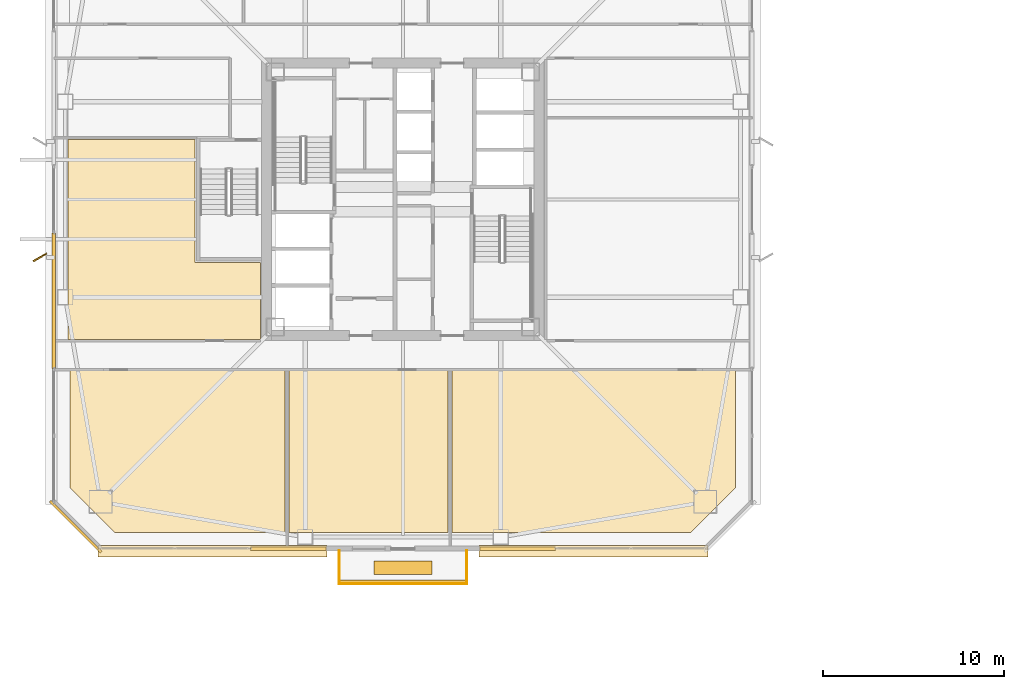
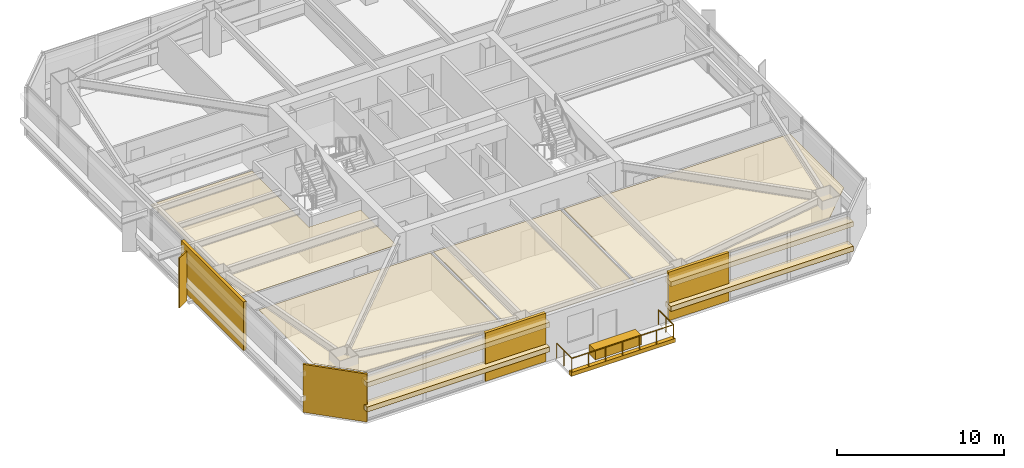
# One storey, part 42 of 48: 14 coverings, 3 railings, 1 shading device.
"""IFC4 building model written with IfcOpenShell, lengths in metres."""

from ifc_helpers import new_model, si_unit, direction, frame, origin, origin_2d, place, context, subcontext, project, spatial, polyline, rectangle, outline, extrude, material, layer, layer_set, type_object, element, save


model = new_model("IFC4")

# Units and contexts
model_context = context("Model", 3, precision=1e-05, world=origin(), true_north=direction((0.0, 1.0)))
body_context = subcontext(model_context, "Body", "Model", "MODEL_VIEW")
ifc_project = project(units=[si_unit("LENGTHUNIT", "METRE"), si_unit("AREAUNIT", "SQUARE_METRE"), si_unit("VOLUMEUNIT", "CUBIC_METRE"), si_unit("PLANEANGLEUNIT", "RADIAN"), si_unit("MASSUNIT", "GRAM", prefix="KILO")], contexts=[model_context])

# Site, building, storey
site_placement = place(None, origin())
site = spatial("IfcSite", under=ifc_project, at=site_placement, CompositionType="ELEMENT")
building_placement = place(site_placement, origin())
building = spatial("IfcBuilding", under=site, at=building_placement, Name="Tashvorn Skyway Center", CompositionType="ELEMENT")
storey_placement = place(building_placement, frame((0.0, 0.0, 125.050048828125)))
storey = spatial("IfcBuildingStorey", under=building, at=storey_placement, Name="L33", CompositionType="ELEMENT", Elevation=125.050048828125)

# Coverings
ifc_material_1 = material(Name="Precast concrete C40/50", Category="concrete")
ifc_layer_1 = layer(ifc_material_1, 0.199951171875)
ifc_layer_set_1 = layer_set([ifc_layer_1], Name="Precast concrete C40/50")
covering_type_1 = type_object("IfcCoveringType", Name="COV-BRACE-CLAD", PredefinedType="CLADDING", material=ifc_layer_set_1)
for number, where, z_axis, x_axis, name in (
    (1, (48.33837890625, 12.719970703125, 0.0), (0.0, 0.0, 1.0), (-1.0, 0.0, 0.0), "Tower 1 L33 South Curtain Wall L Mega-Brace Cladding Band 1"),
    (2, (35.66162109375, 12.719970703125, 0.0), (0.0, 0.0, 1.0), (-1.0, 0.0, 0.0), "Tower 1 L33 South Curtain Wall R Mega-Brace Cladding Band 1"),
):
    element("IfcCovering", number, at=place(storey_placement, frame(where, z_axis=z_axis, x_axis=x_axis)), inside=storey, type_object=covering_type_1, Name=name, PredefinedType="CLADDING", context=body_context, shape_type="SweptSolid", body=[
        extrude(rectangle(XDim=4.1767578125, YDim=0.199951171875, at=origin_2d()), origin(), (0.0, 0.0, 1.0), 3.550048828125),
    ])
covering_1_placement = place(storey_placement, frame((22.719970703125, 26.40673828125, 0.0), z_axis=(0.0, 0.0, 1.0), x_axis=(0.0, 1.0, 0.0)))
element("IfcCovering", 3, at=covering_1_placement, inside=storey, type_object=covering_type_1, Name="Tower 1 L33 West Unitised Curtain Wall Mega-Brace Cladding Band 1", PredefinedType="CLADDING", context=body_context, shape_type="SweptSolid", body=[
    extrude(rectangle(XDim=7.457763671875, YDim=0.199951171875, at=origin_2d()), origin(), (0.0, 0.0, 1.0), 3.550048828125),
])
ifc_material_2 = material(Name="Mineral-fibre acoustic ceiling tile on suspended grid")
ifc_layer_2 = layer(ifc_material_2, 0.02001953125)
ifc_layer_set_2 = layer_set([ifc_layer_2], Name="Mineral-fibre acoustic ceiling tile on suspended grid")
covering_type_2 = type_object("IfcCoveringType", Name="COV-CEIL-20", PredefinedType="CEILING", material=ifc_layer_set_2)
covering_2_placement = place(storey_placement, frame((0.0, 0.0, 2.702880859375)))
element("IfcCovering", 4, at=covering_2_placement, inside=storey, type_object=covering_type_2, Name="Tower 1 L33 Executive Suite Acoustic Ceiling", PredefinedType="CEILING", context=body_context, shape_type="SweptSolid", body=[
    extrude(outline(polyline([(23.6201171875, 22.56005859375), (35.47998046875, 22.56005859375), (35.47998046875, 13.6201171875), (26.080078125, 13.6201171875), (23.6201171875, 16.080078125), (23.6201171875, 22.56005859375)])), origin(), (0.0, 0.0, 1.0), 0.02001953125),
])
covering_3_placement = place(storey_placement, frame((0.0, 0.0, 2.702880859375)))
element("IfcCovering", 5, at=covering_3_placement, inside=storey, type_object=covering_type_2, Name="Tower 1 L33 Boardroom Acoustic Ceiling", PredefinedType="CEILING", context=body_context, shape_type="SweptSolid", body=[
    extrude(outline(polyline([(35.719970703125, 22.56005859375), (44.47998046875, 22.56005859375), (44.47998046875, 13.6201171875), (35.719970703125, 13.6201171875), (35.719970703125, 22.56005859375)])), origin(), (0.0, 0.0, 1.0), 0.02001953125),
])
covering_4_placement = place(storey_placement, frame((0.0, 0.0, 2.702880859375)))
element("IfcCovering", 6, at=covering_4_placement, inside=storey, type_object=covering_type_2, Name="Tower 1 L33 Boardroom Acoustic Ceiling", PredefinedType="CEILING", context=body_context, shape_type="SweptSolid", body=[
    extrude(outline(polyline([(44.719970703125, 13.6201171875), (44.719970703125, 22.56005859375), (60.3798828125, 22.56005859375), (60.3798828125, 16.080078125), (57.919921875, 13.6201171875), (44.719970703125, 13.6201171875)])), origin(), (0.0, 0.0, 1.0), 0.02001953125),
])
covering_5_placement = place(storey_placement, frame((0.0, 0.0, 2.702880859375)))
element("IfcCovering", 7, at=covering_5_placement, inside=storey, type_object=covering_type_2, Name="Tower 1 L33 Public Restroom Acoustic Ceiling", PredefinedType="CEILING", context=body_context, shape_type="SweptSolid", body=[
    extrude(outline(polyline([(34.1201171875, 24.280029296875), (23.5, 24.280029296875), (23.5, 28.52001953125), (23.5, 35.320068359375), (30.52001953125, 35.320068359375), (30.52001953125, 28.52001953125), (34.1201171875, 28.52001953125), (34.1201171875, 24.280029296875)])), origin(), (0.0, 0.0, 1.0), 0.02001953125),
])
ifc_material_3 = material(Name="Perforated ceramic-coated bronze aluminium solar screen", Category="aluminium")
ifc_layer_3 = layer(ifc_material_3, 0.85009765625)
ifc_layer_set_3 = layer_set([ifc_layer_3], Name="Perforated ceramic-coated bronze aluminium solar screen")
covering_type_3 = type_object("IfcCoveringType", Name="COV-SOLAR-BAND", PredefinedType="CLADDING", material=ifc_layer_set_3)
for number, where, z_axis, x_axis, name in (
    (8, (52.514892578125, 12.580078125, 0.919921875), (0.0, 0.0, 1.0), (-1.0, 0.0, 0.0), "L33 Perforated Ceramic-Metal Solar Screen Louvre Band South 1"),
    (9, (52.514892578125, 12.580078125, 2.7197265625), (0.0, 0.0, 1.0), (-1.0, 0.0, 0.0), "L33 Perforated Ceramic-Metal Solar Screen Louvre Band South 2"),
    (10, (31.485107421875, 12.580078125, 0.919921875), (0.0, 0.0, 1.0), (-1.0, 0.0, 0.0), "L33 Perforated Ceramic-Metal Solar Screen Louvre Band South 1"),
    (11, (31.485107421875, 12.580078125, 2.7197265625), (0.0, 0.0, 1.0), (-1.0, 0.0, 0.0), "L33 Perforated Ceramic-Metal Solar Screen Louvre Band South 2"),
):
    element("IfcCovering", number, at=place(storey_placement, frame(where, z_axis=z_axis, x_axis=x_axis)), inside=storey, type_object=covering_type_3, Name=name, PredefinedType="CLADDING", context=body_context, shape_type="SweptSolid", body=[
        extrude(rectangle(XDim=12.64990234375, YDim=0.639892578125, at=origin_2d()), origin(), (0.0, 0.0, 1.0), 0.360107421875),
    ])
ifc_layer_4 = layer(ifc_material_1, 0.35009765625)
ifc_layer_set_4 = layer_set([ifc_layer_4], Name="Precast concrete C40/50")
covering_type_4 = type_object("IfcCoveringType", Name="COV-STONE-TRIM", PredefinedType="CLADDING", material=ifc_layer_set_4)
covering_6_placement = place(storey_placement, frame((42.0, 10.840087890625, -0.16015625), z_axis=(0.0, 0.0, 1.0), x_axis=(-1.0, 0.0, 0.0)))
element("IfcCovering", 12, at=covering_6_placement, inside=storey, type_object=covering_type_4, Name="Tower 1 L33 Spiral Terrace Terracotta Fascia", PredefinedType="CLADDING", context=body_context, shape_type="SweptSolid", body=[
    extrude(rectangle(XDim=7.199951171875, YDim=0.280029296875, at=origin_2d()), origin(), (0.0, 0.0, 1.0), 0.280029296875),
])
covering_7_placement = place(storey_placement, frame((42.0, 11.64990234375, 0.0), z_axis=(0.0, 0.0, 1.0), x_axis=(-1.0, 0.0, 0.0)))
element("IfcCovering", 13, at=covering_7_placement, inside=storey, type_object=covering_type_4, Name="Tower 1 L33 Spiral Terrace Planter", PredefinedType="CLADDING", context=body_context, shape_type="SweptSolid", body=[
    extrude(rectangle(XDim=3.199951171875, YDim=0.75, at=origin_2d()), origin(), (0.0, 0.0, 1.0), 0.679931640625),
])
covering_8_placement = place(storey_placement, frame((23.929931640625, 13.929931640625, 0.02001953125), z_axis=(0.0, 0.0, 1.0), x_axis=(-0.707106781187, 0.707106781187, 0.0)))
element("IfcCovering", 14, at=covering_8_placement, inside=storey, type_object=covering_type_4, Name="Tower 1 L33 SW Mojave Limestone Corner Quoin", PredefinedType="CLADDING", context=body_context, shape_type="SweptSolid", body=[
    extrude(rectangle(XDim=3.978515625, YDim=0.139892578125, at=origin_2d()), origin(), (0.0, 0.0, 1.0), 3.510009765625),
])

# Railings
ifc_material_4 = material(Name="Galvanized steel S355", Category="steel")
railing_type = type_object("IfcRailingType", Name="RAIL-GUARD-1120", PredefinedType="GUARDRAIL", material=ifc_material_4)
railing_1_placement = place(storey_placement, frame((38.47998046875, 12.60009765625, 0.0)))
element("IfcRailing", 15, at=railing_1_placement, inside=storey, type_object=railing_type, Name="L33 Tower 1 Terrace Guardrail 01", PredefinedType="GUARDRAIL", context=body_context, shape_type="SweptSolid", body=[
    extrude(rectangle(XDim=0.048095703125, YDim=0.048095703125, at=origin_2d()), frame((0.0, 0.0, 1.09619140625), z_axis=(0.0, -1.0, 0.0), x_axis=(1.0, 0.0, 0.0)), (0.0, 0.0, 1.0), 1.820068359375),
    extrude(rectangle(XDim=0.0419921875, YDim=0.0419921875, at=origin_2d()), origin(), (0.0, 0.0, 1.0), 1.072021484375),
    extrude(rectangle(XDim=0.0419921875, YDim=0.0419921875, at=origin_2d()), frame((0.0, -0.91015625, 0.0)), (0.0, 0.0, 1.0), 1.072021484375),
    extrude(rectangle(XDim=0.0419921875, YDim=0.0419921875, at=origin_2d()), frame((0.0, -1.820068359375, 0.0)), (0.0, 0.0, 1.0), 1.072021484375),
])
railing_2_placement = place(storey_placement, frame((38.47998046875, 10.780029296875, 0.0)))
element("IfcRailing", 16, at=railing_2_placement, inside=storey, type_object=railing_type, Name="L33 Tower 1 Terrace Guardrail 02", PredefinedType="GUARDRAIL", context=body_context, shape_type="SweptSolid", body=[
    extrude(rectangle(XDim=0.048095703125, YDim=0.048095703125, at=origin_2d()), frame((0.0, 0.0, 1.09619140625), z_axis=(1.0, 0.0, 0.0), x_axis=(0.0, 1.0, 0.0)), (0.0, 0.0, 1.0), 7.0400390625),
    extrude(rectangle(XDim=0.0419921875, YDim=0.0419921875, at=origin_2d()), origin(), (0.0, 0.0, 1.0), 1.072021484375),
    extrude(rectangle(XDim=0.0419921875, YDim=0.0419921875, at=origin_2d()), frame((1.17333984375, 0.0, 0.0)), (0.0, 0.0, 1.0), 1.072021484375),
    extrude(rectangle(XDim=0.0419921875, YDim=0.0419921875, at=origin_2d()), frame((2.3466796875, 0.0, 0.0)), (0.0, 0.0, 1.0), 1.072021484375),
    extrude(rectangle(XDim=0.0419921875, YDim=0.0419921875, at=origin_2d()), frame((3.52001953125, 0.0, 0.0)), (0.0, 0.0, 1.0), 1.072021484375),
    extrude(rectangle(XDim=0.0419921875, YDim=0.0419921875, at=origin_2d()), frame((4.693359375, 0.0, 0.0)), (0.0, 0.0, 1.0), 1.072021484375),
    extrude(rectangle(XDim=0.0419921875, YDim=0.0419921875, at=origin_2d()), frame((5.86669921875, 0.0, 0.0)), (0.0, 0.0, 1.0), 1.072021484375),
    extrude(rectangle(XDim=0.0419921875, YDim=0.0419921875, at=origin_2d()), frame((7.0400390625, 0.0, 0.0)), (0.0, 0.0, 1.0), 1.072021484375),
])
railing_3_placement = place(storey_placement, frame((45.52001953125, 10.780029296875, 0.0)))
element("IfcRailing", 17, at=railing_3_placement, inside=storey, type_object=railing_type, Name="L33 Tower 1 Terrace Guardrail 03", PredefinedType="GUARDRAIL", context=body_context, shape_type="SweptSolid", body=[
    extrude(rectangle(XDim=0.048095703125, YDim=0.048095703125, at=origin_2d()), frame((0.0, 0.0, 1.09619140625), z_axis=(0.0, 1.0, 0.0), x_axis=(-1.0, 0.0, 0.0)), (0.0, 0.0, 1.0), 1.820068359375),
    extrude(rectangle(XDim=0.0419921875, YDim=0.0419921875, at=origin_2d()), origin(), (0.0, 0.0, 1.0), 1.072021484375),
    extrude(rectangle(XDim=0.0419921875, YDim=0.0419921875, at=origin_2d()), frame((0.0, 0.91015625, 0.0)), (0.0, 0.0, 1.0), 1.072021484375),
    extrude(rectangle(XDim=0.0419921875, YDim=0.0419921875, at=origin_2d()), frame((0.0, 1.820068359375, 0.0)), (0.0, 0.0, 1.0), 1.072021484375),
])

# Shading device
ifc_layer_5 = layer(ifc_material_3, 0.06005859375)
ifc_layer_set_5 = layer_set([ifc_layer_5], Name="Perforated ceramic-coated bronze aluminium solar screen")
shading_device_type = type_object("IfcShadingDeviceType", Name="SHD-SOLAR-850", PredefinedType="USERDEFINED", material=ifc_layer_set_5)
shading_device_placement = place(storey_placement, frame((21.949951171875, 28.800048828125, -0.10009765625), z_axis=(0.0, 0.0, 1.0), x_axis=(-0.5, 0.866025403784, 0.0)))
element("IfcShadingDevice", 18, at=shading_device_placement, inside=storey, type_object=shading_device_type, Name="Tower 1 L33 Perforated Ceramic-Metal Solar Screen W1", ObjectType="SCREEN", PredefinedType="USERDEFINED", context=body_context, shape_type="SweptSolid", body=[
    extrude(rectangle(XDim=0.080078125, YDim=0.85009765625, at=origin_2d()), origin(), (0.0, 0.0, 1.0), 3.64990234375),
])

save(model, "model.ifc")
